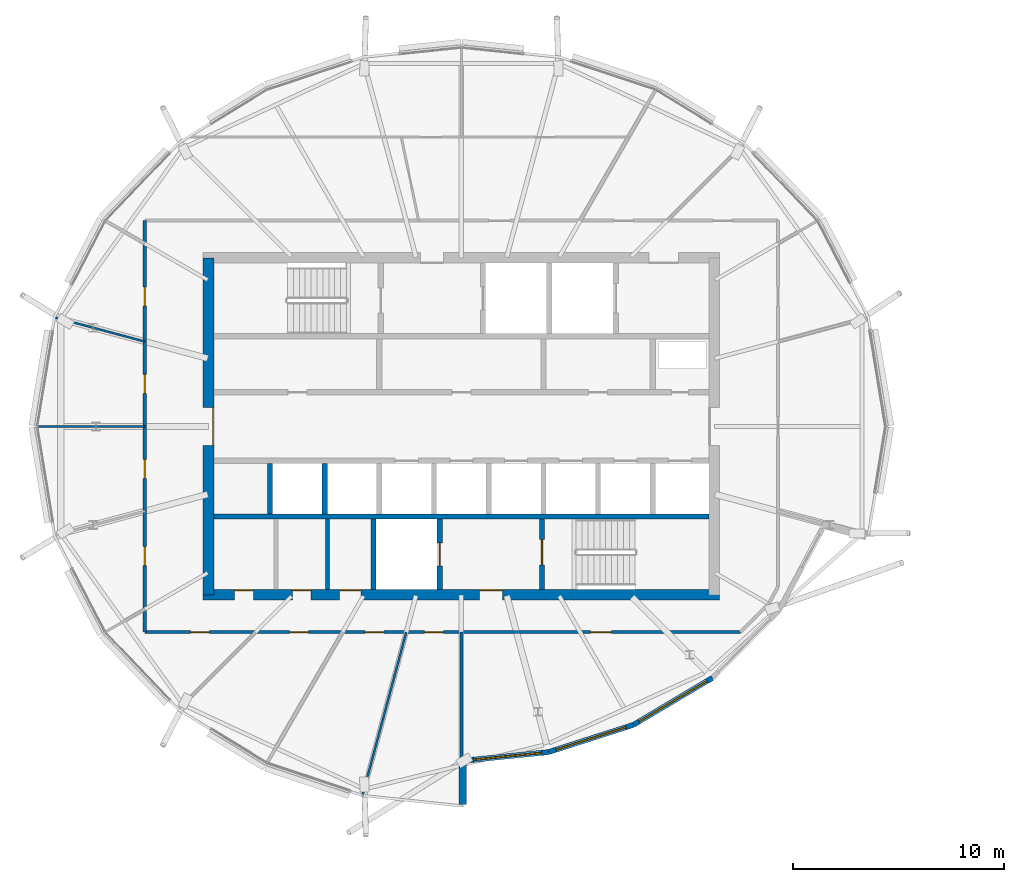
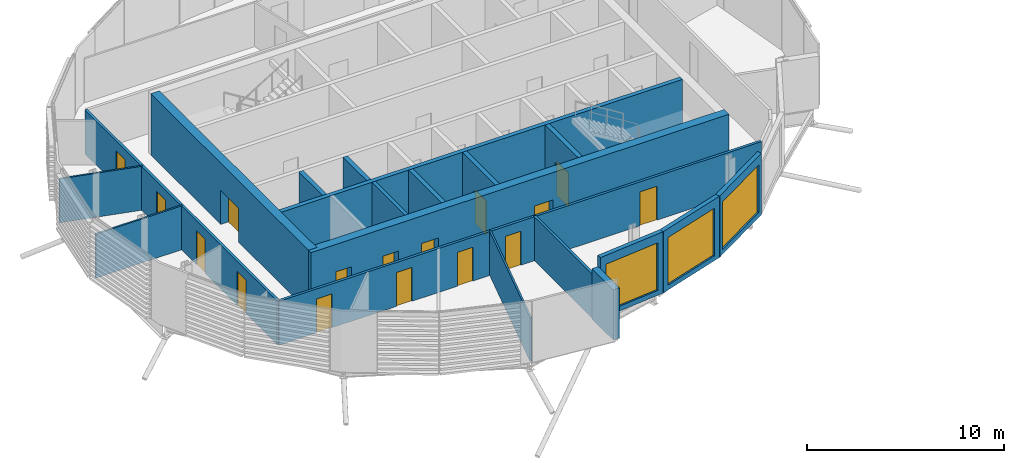
# One storey, part 18 of 36: 19 walls, 16 doors, 3 windows, 19 openings.
"""IFC4 building model written with IfcOpenShell, lengths in metres."""

from ifc_helpers import new_model, si_unit, direction, frame, frame_2d, origin, place, context, subcontext, project, spatial, rectangle, extrude, material, layer, layer_set, type_object, element, fill, save


model = new_model("IFC4")

# Units and contexts
model_context = context("Model", 3, precision=1e-05, world=origin(), true_north=direction((0.0, 1.0)))
body_context = subcontext(model_context, "Body", "Model", "MODEL_VIEW")
ifc_project = project(units=[si_unit("LENGTHUNIT", "METRE"), si_unit("AREAUNIT", "SQUARE_METRE"), si_unit("VOLUMEUNIT", "CUBIC_METRE"), si_unit("PLANEANGLEUNIT", "RADIAN"), si_unit("MASSUNIT", "GRAM", prefix="KILO")], contexts=[model_context])

# Site, building, storey
site_placement = place(None, origin())
site = spatial("IfcSite", under=ifc_project, at=site_placement, CompositionType="ELEMENT")
building_placement = place(site_placement, origin())
building = spatial("IfcBuilding", under=site, at=building_placement, Name="Rimbun Link Towers", CompositionType="ELEMENT")
storey_placement = place(building_placement, frame((0.0, 0.0, 248.5)))
storey = spatial("IfcBuildingStorey", under=building, at=storey_placement, Name="L61", CompositionType="ELEMENT", Elevation=248.5)

# Wall, opening, window
ifc_material_1 = material(Name="Dark enamelled glass spandrel on insulated aluminium backpan", Category="aluminium")
ifc_layer_1 = layer(ifc_material_1, 0.25)
ifc_layer_set_1 = layer_set([ifc_layer_1], Name="CS dark enamelled spandrel wall 250")
wall_type_1 = type_object("IfcWallType", Name="CS dark enamelled spandrel wall 250", PredefinedType="STANDARD", material=ifc_layer_set_1)
wall_1_placement = place(storey_placement, frame((-27.615234375, -15.45849609375, 0.0), z_axis=(0.0, 0.0, 1.0), x_axis=(-0.994869903882, -0.101162613404, 0.0)))
wall_1 = element("IfcWall", 1, at=wall_1_placement, inside=storey, type_object=wall_type_1, Name="Crease spandrel wall", PredefinedType="STANDARD", context=body_context, shape_type="SweptSolid", body=[
    extrude(rectangle(XDim=3.90478515625, YDim=0.25, at=frame_2d((1.952392578125, 0.0))), origin(), (0.0, 0.0, 1.0), 3.800048828125),
])
opening_1_placement = place(wall_1_placement, frame((0.327392578125, 0.0, 0.300048828125)))
opening_1 = element("IfcOpeningElement", 2, at=opening_1_placement, cuts=wall_1, Name="Opening WR32H295", PredefinedType="OPENING", context=body_context, shape_type="SweptSolid", body=[
    extrude(rectangle(XDim=3.25, YDim=2.949951171875, at=frame_2d((1.625, 1.47509765625))), frame((0.0, 0.135009765625, 0.0), z_axis=(0.0, -1.0, 0.0), x_axis=(1.0, 0.0, 0.0)), (0.0, 0.0, 1.0), 0.27001953125),
])
ifc_material_2 = material(Name="Aluminium framed fixed window, dark tinted low-e glass", Category="aluminium")
window_type_1 = type_object("IfcWindowType", Name="WR ribbon window 3250X2950", PartitioningType="SINGLE_PANEL", PredefinedType="WINDOW", material=ifc_material_2)
window_1_placement = place(opening_1_placement, origin())
window_1 = element("IfcWindow", 3, at=window_1_placement, inside=storey, type_object=window_type_1, Name="Crease ribbon window", OverallHeight=2.949951171875, OverallWidth=3.25, PartitioningType="SINGLE_PANEL", PredefinedType="WINDOW", context=body_context, shape_type="SweptSolid", body=[
    extrude(rectangle(XDim=3.25, YDim=2.949951171875, at=frame_2d((1.625, 1.47509765625))), frame((0.0, 0.030029296875, 0.0), z_axis=(0.0, -1.0, 0.0), x_axis=(1.0, 0.0, 0.0)), (0.0, 0.0, 1.0), 0.06005859375),
])
fill(opening_1, window_1)

wall_2_placement = place(storey_placement, frame((-23.5849609375, -14.167236328125, 0.0), z_axis=(0.0, 0.0, 1.0), x_axis=(-0.952316246709, -0.305112710737, 0.0)))
wall_2 = element("IfcWall", 4, at=wall_2_placement, inside=storey, type_object=wall_type_1, Name="Crease spandrel wall", PredefinedType="STANDARD", context=body_context, shape_type="SweptSolid", body=[
    extrude(rectangle(XDim=4.232177734375, YDim=0.25, at=frame_2d((2.1162109375, 0.0))), origin(), (0.0, 0.0, 1.0), 3.800048828125),
])
opening_2_placement = place(wall_2_placement, frame((0.365966796875, 0.0, 0.300048828125)))
opening_2 = element("IfcOpeningElement", 5, at=opening_2_placement, cuts=wall_2, Name="Opening WR35H295", PredefinedType="OPENING", context=body_context, shape_type="SweptSolid", body=[
    extrude(rectangle(XDim=3.5, YDim=2.949951171875, at=frame_2d((1.75, 1.47509765625))), frame((0.0, 0.135009765625, 0.0), z_axis=(0.0, -1.0, 0.0), x_axis=(1.0, 0.0, 0.0)), (0.0, 0.0, 1.0), 0.27001953125),
])
ifc_material_3 = material(Name="Aluminium framed fixed window, dark tinted low-e glass", Category="aluminium")
window_type_2 = type_object("IfcWindowType", Name="WR ribbon window 3500X2950", PartitioningType="SINGLE_PANEL", PredefinedType="WINDOW", material=ifc_material_3)
window_2_placement = place(opening_2_placement, origin())
window_2 = element("IfcWindow", 6, at=window_2_placement, inside=storey, type_object=window_type_2, Name="Crease ribbon window", OverallHeight=2.949951171875, OverallWidth=3.5, PartitioningType="SINGLE_PANEL", PredefinedType="WINDOW", context=body_context, shape_type="SweptSolid", body=[
    extrude(rectangle(XDim=3.5, YDim=2.949951171875, at=frame_2d((1.75, 1.47509765625))), frame((0.0, 0.030029296875, 0.0), z_axis=(0.0, -1.0, 0.0), x_axis=(1.0, 0.0, 0.0)), (0.0, 0.0, 1.0), 0.06005859375),
])
fill(opening_2, window_2)

wall_3_placement = place(storey_placement, frame((-19.8359375, -11.935546875, 0.0), z_axis=(0.0, 0.0, 1.0), x_axis=(-0.859280001548, -0.511505502354, 0.0)))
wall_3 = element("IfcWall", 7, at=wall_3_placement, inside=storey, type_object=wall_type_1, Name="Crease spandrel wall", PredefinedType="STANDARD", context=body_context, shape_type="SweptSolid", body=[
    extrude(rectangle(XDim=4.363037109375, YDim=0.25, at=frame_2d((2.181640625, 0.0))), origin(), (0.0, 0.0, 1.0), 3.800048828125),
])
opening_3_placement = place(wall_3_placement, frame((0.306640625, 0.0, 0.300048828125)))
opening_3 = element("IfcOpeningElement", 8, at=opening_3_placement, cuts=wall_3, Name="Opening WR38H295", PredefinedType="OPENING", context=body_context, shape_type="SweptSolid", body=[
    extrude(rectangle(XDim=3.75, YDim=2.949951171875, at=frame_2d((1.875, 1.47509765625))), frame((0.0, 0.135009765625, 0.0), z_axis=(0.0, -1.0, 0.0), x_axis=(1.0, 0.0, 0.0)), (0.0, 0.0, 1.0), 0.27001953125),
])
ifc_material_4 = material(Name="Aluminium framed fixed window, dark tinted low-e glass", Category="aluminium")
window_type_3 = type_object("IfcWindowType", Name="WR ribbon window 3750X2950", PartitioningType="SINGLE_PANEL", PredefinedType="WINDOW", material=ifc_material_4)
window_3_placement = place(opening_3_placement, origin())
window_3 = element("IfcWindow", 9, at=window_3_placement, inside=storey, type_object=window_type_3, Name="Crease ribbon window", OverallHeight=2.949951171875, OverallWidth=3.75, PartitioningType="SINGLE_PANEL", PredefinedType="WINDOW", context=body_context, shape_type="SweptSolid", body=[
    extrude(rectangle(XDim=3.75, YDim=2.949951171875, at=frame_2d((1.875, 1.47509765625))), frame((0.0, 0.030029296875, 0.0), z_axis=(0.0, -1.0, 0.0), x_axis=(1.0, 0.0, 0.0)), (0.0, 0.0, 1.0), 0.06005859375),
])
fill(opening_3, window_3)

# Walls
ifc_material_5 = material(Name="Dark enamelled glass spandrel on insulated aluminium backpan", Category="aluminium")
ifc_layer_2 = layer(ifc_material_5, 0.3701171875)
ifc_layer_set_2 = layer_set([ifc_layer_2], Name="CS dark enamelled spandrel wall 370")
wall_type_2 = type_object("IfcWallType", Name="CS dark enamelled spandrel wall 370", PredefinedType="STANDARD", material=ifc_layer_set_2)
wall_4_placement = place(storey_placement, frame((-31.68505859375, -15.75341796875, 0.0), z_axis=(0.0, 0.0, 1.0), x_axis=(0.0, -1.0, 0.0)))
element("IfcWall", 10, at=wall_4_placement, inside=storey, type_object=wall_type_2, Name="Crease spandrel wall", PredefinedType="STANDARD", context=body_context, shape_type="SweptSolid", body=[
    extrude(rectangle(XDim=2.179931640625, YDim=0.3701171875, at=frame_2d((1.08984375, 0.0))), origin(), (0.0, 0.0, 1.0), 3.116943359375),
])
ifc_material_6 = material(Name="Masonry blockwork", Category="masonry")
ifc_layer_3 = layer(ifc_material_6, 0.199951171875)
ifc_layer_set_3 = layer_set([ifc_layer_3], Name="Core partition 200")
wall_type_3 = type_object("IfcWallType", Name="Core partition 200", PredefinedType="PARTITIONING", material=ifc_layer_set_3)
wall_5_placement = place(storey_placement, frame((-38.10009765625, -4.39990234375, 0.0), z_axis=(0.0, 0.0, 1.0), x_axis=(0.0, -1.0, 0.0)))
element("IfcWall", 11, at=wall_5_placement, inside=storey, type_object=wall_type_3, Name="L61 T1 core wall C2", PredefinedType="PARTITIONING", context=body_context, shape_type="SweptSolid", body=[
    extrude(rectangle(XDim=3.35009765625, YDim=0.199951171875, at=frame_2d((1.675048828125, 0.0))), origin(), (0.0, 0.0, 1.0), 3.800048828125),
])

# Wall, openings, doors
ifc_material_7 = material(Name="Concrete C60/75", Category="concrete")
ifc_layer_4 = layer(ifc_material_7, 0.5)
ifc_layer_set_4 = layer_set([ifc_layer_4], Name="Core shear wall 500")
wall_type_4 = type_object("IfcWallType", Name="Core shear wall 500", PredefinedType="SHEAR", material=ifc_layer_set_4)
wall_6_placement = place(storey_placement, frame((-44.0, -8.0, 0.0), z_axis=(0.0, 0.0, 1.0), x_axis=(1.0, 0.0, 0.0)))
wall_6 = element("IfcWall", 12, at=wall_6_placement, inside=storey, type_object=wall_type_4, Name="L61 T1 core wall S", PredefinedType="SHEAR", context=body_context, shape_type="SweptSolid", body=[
    extrude(rectangle(XDim=24.5, YDim=0.5, at=frame_2d((12.25, 0.0))), origin(), (0.0, 0.0, 1.0), 3.800048828125),
])
opening_4_placement = place(wall_6_placement, frame((13.10009765625, 0.0, 0.0)))
opening_4 = element("IfcOpeningElement", 13, at=opening_4_placement, cuts=wall_6, Name="Opening C1DCF01S", PredefinedType="OPENING", context=body_context, shape_type="SweptSolid", body=[
    extrude(rectangle(XDim=1.10009765625, YDim=2.10009765625, at=frame_2d((0.550048828125, 1.050048828125))), frame((0.0, 0.260009765625, 0.0), z_axis=(0.0, -1.0, 0.0), x_axis=(1.0, 0.0, 0.0)), (0.0, 0.0, 1.0), 0.52001953125),
])
opening_5_placement = place(wall_6_placement, frame((1.47509765625, 0.0, 0.0)))
opening_5 = element("IfcOpeningElement", 14, at=opening_5_placement, cuts=wall_6, Name="Opening C1DWC02S", PredefinedType="OPENING", context=body_context, shape_type="SweptSolid", body=[
    extrude(rectangle(XDim=0.89990234375, YDim=2.10009765625, at=frame_2d((0.449951171875, 1.050048828125))), frame((0.0, 0.260009765625, 0.0), z_axis=(0.0, -1.0, 0.0), x_axis=(1.0, 0.0, 0.0)), (0.0, 0.0, 1.0), 0.52001953125),
])
opening_6_placement = place(wall_6_placement, frame((4.22509765625, 0.0, 0.0)))
opening_6 = element("IfcOpeningElement", 15, at=opening_6_placement, cuts=wall_6, Name="Opening C1DWC03S", PredefinedType="OPENING", context=body_context, shape_type="SweptSolid", body=[
    extrude(rectangle(XDim=0.89990234375, YDim=2.10009765625, at=frame_2d((0.449951171875, 1.050048828125))), frame((0.0, 0.260009765625, 0.0), z_axis=(0.0, -1.0, 0.0), x_axis=(1.0, 0.0, 0.0)), (0.0, 0.0, 1.0), 0.52001953125),
])
opening_7_placement = place(wall_6_placement, frame((6.47509765625, 0.0, 0.0)))
opening_7 = element("IfcOpeningElement", 16, at=opening_7_placement, cuts=wall_6, Name="Opening C1DAW04S", PredefinedType="OPENING", context=body_context, shape_type="SweptSolid", body=[
    extrude(rectangle(XDim=1.0, YDim=2.10009765625, at=frame_2d((0.5, 1.050048828125))), frame((0.0, 0.260009765625, 0.0), z_axis=(0.0, -1.0, 0.0), x_axis=(1.0, 0.0, 0.0)), (0.0, 0.0, 1.0), 0.52001953125),
])
ifc_material_8 = material(Name="Timber", Category="wood")
door_type_1 = type_object("IfcDoorType", Name="Accessible WC door", OperationType="SINGLE_SWING_LEFT", PredefinedType="DOOR", material=ifc_material_8)
door_1_placement = place(opening_7_placement, origin())
door_1 = element("IfcDoor", 17, at=door_1_placement, inside=storey, type_object=door_type_1, Name="L61 T1 accessible wc door", OperationType="SINGLE_SWING_LEFT", OverallHeight=2.10009765625, OverallWidth=1.0, PredefinedType="DOOR", context=body_context, shape_type="SweptSolid", body=[
    extrude(rectangle(XDim=1.0, YDim=2.10009765625, at=frame_2d((0.5, 1.050048828125))), frame((0.0, 0.25, 0.0), z_axis=(0.0, -1.0, 0.0), x_axis=(1.0, 0.0, 0.0)), (0.0, 0.0, 1.0), 0.050048828125),
])
fill(opening_7, door_1)
ifc_material_9 = material(Name="Steel fire door set", Category="steel")
door_type_2 = type_object("IfcDoorType", Name="Core fire door single", OperationType="SINGLE_SWING_LEFT", PredefinedType="DOOR", material=ifc_material_9)
door_2_placement = place(opening_4_placement, origin())
door_2 = element("IfcDoor", 18, at=door_2_placement, inside=storey, type_object=door_type_2, Name="L61 T1 firefighting lobby s door", OperationType="SINGLE_SWING_RIGHT", OverallHeight=2.10009765625, OverallWidth=1.10009765625, PredefinedType="DOOR", context=body_context, shape_type="SweptSolid", body=[
    extrude(rectangle(XDim=1.10009765625, YDim=2.10009765625, at=frame_2d((0.550048828125, 1.050048828125))), frame((0.0, 0.25, 0.0), z_axis=(0.0, -1.0, 0.0), x_axis=(1.0, 0.0, 0.0)), (0.0, 0.0, 1.0), 0.050048828125),
])
fill(opening_4, door_2)
ifc_material_10 = material(Name="Timber", Category="wood")
door_type_3 = type_object("IfcDoorType", Name="WC door", OperationType="SINGLE_SWING_LEFT", PredefinedType="DOOR", material=ifc_material_10)
door_3_placement = place(opening_5_placement, origin())
door_3 = element("IfcDoor", 19, at=door_3_placement, inside=storey, type_object=door_type_3, Name="L61 T1 male wc door", OperationType="SINGLE_SWING_RIGHT", OverallHeight=2.10009765625, OverallWidth=0.89990234375, PredefinedType="DOOR", context=body_context, shape_type="SweptSolid", body=[
    extrude(rectangle(XDim=0.89990234375, YDim=2.10009765625, at=frame_2d((0.449951171875, 1.050048828125))), frame((0.0, 0.25, 0.0), z_axis=(0.0, -1.0, 0.0), x_axis=(1.0, 0.0, 0.0)), (0.0, 0.0, 1.0), 0.050048828125),
])
fill(opening_5, door_3)
door_4_placement = place(opening_6_placement, origin())
door_4 = element("IfcDoor", 20, at=door_4_placement, inside=storey, type_object=door_type_3, Name="L61 T1 female wc door", OperationType="SINGLE_SWING_RIGHT", OverallHeight=2.10009765625, OverallWidth=0.89990234375, PredefinedType="DOOR", context=body_context, shape_type="SweptSolid", body=[
    extrude(rectangle(XDim=0.89990234375, YDim=2.10009765625, at=frame_2d((0.449951171875, 1.050048828125))), frame((0.0, 0.25, 0.0), z_axis=(0.0, -1.0, 0.0), x_axis=(1.0, 0.0, 0.0)), (0.0, 0.0, 1.0), 0.050048828125),
])
fill(opening_6, door_4)

# Wall, opening, door
wall_7_placement = place(storey_placement, frame((-43.75, -8.0, 0.0), z_axis=(0.0, 0.0, 1.0), x_axis=(0.0, 1.0, 0.0)))
wall_7 = element("IfcWall", 21, at=wall_7_placement, inside=storey, type_object=wall_type_4, Name="L61 T1 core wall W", PredefinedType="SHEAR", context=body_context, shape_type="SweptSolid", body=[
    extrude(rectangle(XDim=16.0, YDim=0.5, at=frame_2d((8.0, 0.0))), origin(), (0.0, 0.0, 1.0), 3.800048828125),
])
opening_8_placement = place(wall_7_placement, frame((7.10009765625, 0.0, 0.0)))
opening_8 = element("IfcOpeningElement", 22, at=opening_8_placement, cuts=wall_7, Name="Opening C1DCL01W", PredefinedType="OPENING", context=body_context, shape_type="SweptSolid", body=[
    extrude(rectangle(XDim=1.800048828125, YDim=2.10009765625, at=frame_2d((0.89990234375, 1.050048828125))), frame((0.0, 0.260009765625, 0.0), z_axis=(0.0, -1.0, 0.0), x_axis=(1.0, 0.0, 0.0)), (0.0, 0.0, 1.0), 0.52001953125),
])
ifc_material_11 = material(Name="Steel fire door set", Category="steel")
door_type_4 = type_object("IfcDoorType", Name="Core lobby door double", OperationType="DOUBLE_DOOR_SINGLE_SWING", PredefinedType="DOOR", material=ifc_material_11)
door_5_placement = place(opening_8_placement, origin())
door_5 = element("IfcDoor", 23, at=door_5_placement, inside=storey, type_object=door_type_4, Name="L61 T1 lift lobby door", OperationType="DOUBLE_DOOR_SINGLE_SWING", OverallHeight=2.10009765625, OverallWidth=1.800048828125, PredefinedType="DOOR", context=body_context, shape_type="SweptSolid", body=[
    extrude(rectangle(XDim=1.800048828125, YDim=2.10009765625, at=frame_2d((0.89990234375, 1.050048828125))), frame((0.0, -0.2001953125, 0.0), z_axis=(0.0, -1.0, 0.0), x_axis=(1.0, 0.0, 0.0)), (0.0, 0.0, 1.0), 0.050048828125),
])
fill(opening_8, door_5)

# Wall, openings, doors
ifc_material_12 = material(Name="Plasterboard on steel stud, mineral wool", Category="steel")
ifc_layer_5 = layer(ifc_material_12, 0.14990234375)
ifc_layer_set_5 = layer_set([ifc_layer_5], Name="Corridor wall EI 30 150 mm")
wall_type_5 = type_object("IfcWallType", Name="Corridor wall EI 30 150 mm", PredefinedType="PARTITIONING", material=ifc_layer_set_5)
wall_8_placement = place(storey_placement, frame((-46.77490234375, -9.764892578125, 0.0), z_axis=(0.0, 0.0, 1.0), x_axis=(0.0, 1.0, 0.0)))
wall_8 = element("IfcWall", 24, at=wall_8_placement, inside=storey, type_object=wall_type_5, Name="Corridor wall EI 30 150 mm", PredefinedType="PARTITIONING", context=body_context, shape_type="SweptSolid", body=[
    extrude(rectangle(XDim=19.52978515625, YDim=0.14990234375, at=frame_2d((9.764892578125, 0.0))), origin(), (0.0, 0.0, 1.0), 2.721923828125),
])
opening_9_placement = place(wall_8_placement, frame((15.468017578125, 0.0, 0.0)))
opening_9 = element("IfcOpeningElement", 25, at=opening_9_placement, cuts=wall_8, Name="Opening D02", PredefinedType="OPENING", context=body_context, shape_type="SweptSolid", body=[
    extrude(rectangle(XDim=0.89990234375, YDim=2.10009765625, at=frame_2d((0.449951171875, 1.050048828125))), frame((0.0, 0.0849609375, 0.0), z_axis=(0.0, -1.0, 0.0), x_axis=(1.0, 0.0, 0.0)), (0.0, 0.0, 1.0), 0.169921875),
])
opening_10_placement = place(wall_8_placement, frame((11.327880859375, 0.0, 0.0)))
opening_10 = element("IfcOpeningElement", 26, at=opening_10_placement, cuts=wall_8, Name="Opening D02", PredefinedType="OPENING", context=body_context, shape_type="SweptSolid", body=[
    extrude(rectangle(XDim=0.89990234375, YDim=2.10009765625, at=frame_2d((0.449951171875, 1.050048828125))), frame((0.0, 0.0849609375, 0.0), z_axis=(0.0, -1.0, 0.0), x_axis=(1.0, 0.0, 0.0)), (0.0, 0.0, 1.0), 0.169921875),
])
opening_11_placement = place(wall_8_placement, frame((7.302001953125, 0.0, 0.0)))
opening_11 = element("IfcOpeningElement", 27, at=opening_11_placement, cuts=wall_8, Name="Opening D02", PredefinedType="OPENING", context=body_context, shape_type="SweptSolid", body=[
    extrude(rectangle(XDim=0.89990234375, YDim=2.10009765625, at=frame_2d((0.449951171875, 1.050048828125))), frame((0.0, 0.0849609375, 0.0), z_axis=(0.0, -1.0, 0.0), x_axis=(1.0, 0.0, 0.0)), (0.0, 0.0, 1.0), 0.169921875),
])
opening_12_placement = place(wall_8_placement, frame((3.162109375, 0.0, 0.0)))
opening_12 = element("IfcOpeningElement", 28, at=opening_12_placement, cuts=wall_8, Name="Opening D02", PredefinedType="OPENING", context=body_context, shape_type="SweptSolid", body=[
    extrude(rectangle(XDim=0.89990234375, YDim=2.10009765625, at=frame_2d((0.449951171875, 1.050048828125))), frame((0.0, 0.0849609375, 0.0), z_axis=(0.0, -1.0, 0.0), x_axis=(1.0, 0.0, 0.0)), (0.0, 0.0, 1.0), 0.169921875),
])
ifc_material_13 = material(Name="Fire-resisting timber door leaf", Category="wood")
door_type_5 = type_object("IfcDoorType", Name="Fire door FD30S 900", OperationType="NOTDEFINED", PredefinedType="DOOR", material=ifc_material_13)
door_6_placement = place(opening_9_placement, origin())
door_6 = element("IfcDoor", 29, at=door_6_placement, inside=storey, type_object=door_type_5, Name="Fire door FD30S 900 to Meeting room", OperationType="SINGLE_SWING_RIGHT", OverallHeight=2.10009765625, OverallWidth=0.89990234375, PredefinedType="DOOR", context=body_context, shape_type="SweptSolid", body=[
    extrude(rectangle(XDim=0.89990234375, YDim=2.10009765625, at=frame_2d((0.449951171875, 1.050048828125))), frame((0.0, 0.02490234375, 0.0), z_axis=(0.0, -1.0, 0.0), x_axis=(1.0, 0.0, 0.0)), (0.0, 0.0, 1.0), 0.050048828125),
])
fill(opening_9, door_6)
door_7_placement = place(opening_10_placement, origin())
door_7 = element("IfcDoor", 30, at=door_7_placement, inside=storey, type_object=door_type_5, Name="Fire door FD30S 900 to Print room", OperationType="SINGLE_SWING_LEFT", OverallHeight=2.10009765625, OverallWidth=0.89990234375, PredefinedType="DOOR", context=body_context, shape_type="SweptSolid", body=[
    extrude(rectangle(XDim=0.89990234375, YDim=2.10009765625, at=frame_2d((0.449951171875, 1.050048828125))), frame((0.0, 0.02490234375, 0.0), z_axis=(0.0, -1.0, 0.0), x_axis=(1.0, 0.0, 0.0)), (0.0, 0.0, 1.0), 0.050048828125),
])
fill(opening_10, door_7)
door_8_placement = place(opening_11_placement, origin())
door_8 = element("IfcDoor", 31, at=door_8_placement, inside=storey, type_object=door_type_5, Name="Fire door FD30S 900 to Open office", OperationType="SINGLE_SWING_RIGHT", OverallHeight=2.10009765625, OverallWidth=0.89990234375, PredefinedType="DOOR", context=body_context, shape_type="SweptSolid", body=[
    extrude(rectangle(XDim=0.89990234375, YDim=2.10009765625, at=frame_2d((0.449951171875, 1.050048828125))), frame((0.0, 0.02490234375, 0.0), z_axis=(0.0, -1.0, 0.0), x_axis=(1.0, 0.0, 0.0)), (0.0, 0.0, 1.0), 0.050048828125),
])
fill(opening_11, door_8)
door_9_placement = place(opening_12_placement, origin())
door_9 = element("IfcDoor", 32, at=door_9_placement, inside=storey, type_object=door_type_5, Name="Fire door FD30S 900 to Meeting room", OperationType="SINGLE_SWING_LEFT", OverallHeight=2.10009765625, OverallWidth=0.89990234375, PredefinedType="DOOR", context=body_context, shape_type="SweptSolid", body=[
    extrude(rectangle(XDim=0.89990234375, YDim=2.10009765625, at=frame_2d((0.449951171875, 1.050048828125))), frame((0.0, 0.02490234375, 0.0), z_axis=(0.0, -1.0, 0.0), x_axis=(1.0, 0.0, 0.0)), (0.0, 0.0, 1.0), 0.050048828125),
])
fill(opening_12, door_9)

wall_9_placement = place(storey_placement, frame((-18.5029296875, -9.764892578125, 0.0), z_axis=(0.0, 0.0, 1.0), x_axis=(-1.0, 0.0, 0.0)))
wall_9 = element("IfcWall", 33, at=wall_9_placement, inside=storey, type_object=wall_type_5, Name="Corridor wall EI 30 150 mm", PredefinedType="PARTITIONING", context=body_context, shape_type="SweptSolid", body=[
    extrude(rectangle(XDim=28.27197265625, YDim=0.14990234375, at=frame_2d((14.135986328125, 0.0))), origin(), (0.0, 0.0, 1.0), 2.721923828125),
])
opening_13_placement = place(wall_9_placement, frame((25.19189453125, 0.0, 0.0)))
opening_13 = element("IfcOpeningElement", 34, at=opening_13_placement, cuts=wall_9, Name="Opening D02", PredefinedType="OPENING", context=body_context, shape_type="SweptSolid", body=[
    extrude(rectangle(XDim=0.89990234375, YDim=2.10009765625, at=frame_2d((0.449951171875, 1.050048828125))), frame((0.0, 0.0849609375, 0.0), z_axis=(0.0, -1.0, 0.0), x_axis=(1.0, 0.0, 0.0)), (0.0, 0.0, 1.0), 0.169921875),
])
opening_14_placement = place(wall_9_placement, frame((20.498291015625, 0.0, 0.0)))
opening_14 = element("IfcOpeningElement", 35, at=opening_14_placement, cuts=wall_9, Name="Opening D02", PredefinedType="OPENING", context=body_context, shape_type="SweptSolid", body=[
    extrude(rectangle(XDim=0.89990234375, YDim=2.10009765625, at=frame_2d((0.449951171875, 1.050048828125))), frame((0.0, 0.0849609375, 0.0), z_axis=(0.0, -1.0, 0.0), x_axis=(1.0, 0.0, 0.0)), (0.0, 0.0, 1.0), 0.169921875),
])
opening_15_placement = place(wall_9_placement, frame((16.92431640625, 0.0, 0.0)))
opening_15 = element("IfcOpeningElement", 36, at=opening_15_placement, cuts=wall_9, Name="Opening D02", PredefinedType="OPENING", context=body_context, shape_type="SweptSolid", body=[
    extrude(rectangle(XDim=0.89990234375, YDim=2.10009765625, at=frame_2d((0.449951171875, 1.050048828125))), frame((0.0, 0.0849609375, 0.0), z_axis=(0.0, -1.0, 0.0), x_axis=(1.0, 0.0, 0.0)), (0.0, 0.0, 1.0), 0.169921875),
])
opening_16_placement = place(wall_9_placement, frame((14.105224609375, 0.0, 0.0)))
opening_16 = element("IfcOpeningElement", 37, at=opening_16_placement, cuts=wall_9, Name="Opening D02", PredefinedType="OPENING", context=body_context, shape_type="SweptSolid", body=[
    extrude(rectangle(XDim=0.89990234375, YDim=2.10009765625, at=frame_2d((0.449951171875, 1.050048828125))), frame((0.0, 0.0849609375, 0.0), z_axis=(0.0, -1.0, 0.0), x_axis=(1.0, 0.0, 0.0)), (0.0, 0.0, 1.0), 0.169921875),
])
opening_17_placement = place(wall_9_placement, frame((6.12353515625, 0.0, 0.0)))
opening_17 = element("IfcOpeningElement", 38, at=opening_17_placement, cuts=wall_9, Name="Opening D01", PredefinedType="OPENING", context=body_context, shape_type="SweptSolid", body=[
    extrude(rectangle(XDim=1.0, YDim=2.10009765625, at=frame_2d((0.5, 1.050048828125))), frame((0.0, 0.0849609375, 0.0), z_axis=(0.0, -1.0, 0.0), x_axis=(1.0, 0.0, 0.0)), (0.0, 0.0, 1.0), 0.169921875),
])
ifc_material_14 = material(Name="Fire-resisting timber door leaf", Category="wood")
door_type_6 = type_object("IfcDoorType", Name="Fire door FD30S 1000", OperationType="NOTDEFINED", PredefinedType="DOOR", material=ifc_material_14)
door_10_placement = place(opening_17_placement, origin())
door_10 = element("IfcDoor", 39, at=door_10_placement, inside=storey, type_object=door_type_6, Name="Fire door FD30S 1000 to Terrace office", OperationType="SINGLE_SWING_RIGHT", OverallHeight=2.10009765625, OverallWidth=1.0, PredefinedType="DOOR", context=body_context, shape_type="SweptSolid", body=[
    extrude(rectangle(XDim=1.0, YDim=2.10009765625, at=frame_2d((0.5, 1.050048828125))), frame((0.0, 0.02490234375, 0.0), z_axis=(0.0, -1.0, 0.0), x_axis=(1.0, 0.0, 0.0)), (0.0, 0.0, 1.0), 0.050048828125),
])
fill(opening_17, door_10)
door_11_placement = place(opening_13_placement, origin())
door_11 = element("IfcDoor", 40, at=door_11_placement, inside=storey, type_object=door_type_5, Name="Fire door FD30S 900 to Print room", OperationType="SINGLE_SWING_RIGHT", OverallHeight=2.10009765625, OverallWidth=0.89990234375, PredefinedType="DOOR", context=body_context, shape_type="SweptSolid", body=[
    extrude(rectangle(XDim=0.89990234375, YDim=2.10009765625, at=frame_2d((0.449951171875, 1.050048828125))), frame((0.0, 0.02490234375, 0.0), z_axis=(0.0, -1.0, 0.0), x_axis=(1.0, 0.0, 0.0)), (0.0, 0.0, 1.0), 0.050048828125),
])
fill(opening_13, door_11)
door_12_placement = place(opening_14_placement, origin())
door_12 = element("IfcDoor", 41, at=door_12_placement, inside=storey, type_object=door_type_5, Name="Fire door FD30S 900 to Open office", OperationType="SINGLE_SWING_LEFT", OverallHeight=2.10009765625, OverallWidth=0.89990234375, PredefinedType="DOOR", context=body_context, shape_type="SweptSolid", body=[
    extrude(rectangle(XDim=0.89990234375, YDim=2.10009765625, at=frame_2d((0.449951171875, 1.050048828125))), frame((0.0, 0.02490234375, 0.0), z_axis=(0.0, -1.0, 0.0), x_axis=(1.0, 0.0, 0.0)), (0.0, 0.0, 1.0), 0.050048828125),
])
fill(opening_14, door_12)
door_13_placement = place(opening_15_placement, origin())
door_13 = element("IfcDoor", 42, at=door_13_placement, inside=storey, type_object=door_type_5, Name="Fire door FD30S 900 to Meeting room", OperationType="SINGLE_SWING_RIGHT", OverallHeight=2.10009765625, OverallWidth=0.89990234375, PredefinedType="DOOR", context=body_context, shape_type="SweptSolid", body=[
    extrude(rectangle(XDim=0.89990234375, YDim=2.10009765625, at=frame_2d((0.449951171875, 1.050048828125))), frame((0.0, 0.02490234375, 0.0), z_axis=(0.0, -1.0, 0.0), x_axis=(1.0, 0.0, 0.0)), (0.0, 0.0, 1.0), 0.050048828125),
])
fill(opening_15, door_13)
door_14_placement = place(opening_16_placement, origin())
door_14 = element("IfcDoor", 43, at=door_14_placement, inside=storey, type_object=door_type_5, Name="Fire door FD30S 900 to Meeting room", OperationType="SINGLE_SWING_LEFT", OverallHeight=2.10009765625, OverallWidth=0.89990234375, PredefinedType="DOOR", context=body_context, shape_type="SweptSolid", body=[
    extrude(rectangle(XDim=0.89990234375, YDim=2.10009765625, at=frame_2d((0.449951171875, 1.050048828125))), frame((0.0, 0.02490234375, 0.0), z_axis=(0.0, -1.0, 0.0), x_axis=(1.0, 0.0, 0.0)), (0.0, 0.0, 1.0), 0.050048828125),
])
fill(opening_16, door_14)

# Walls
ifc_material_15 = material(Name="Plasterboard on steel stud", Category="steel")
ifc_layer_6 = layer(ifc_material_15, 0.10009765625)
ifc_layer_set_6 = layer_set([ifc_layer_6], Name="Plasterboard partition 100 mm")
wall_type_6 = type_object("IfcWallType", Name="Plasterboard partition 100 mm", PredefinedType="PARTITIONING", material=ifc_layer_set_6)
wall_10_placement = place(storey_placement, frame((-51.009033203125, 5.160400390625, 0.0), z_axis=(0.0, 0.0, 1.0), x_axis=(0.965926422845, -0.258816818714, 0.0)))
element("IfcWall", 44, at=wall_10_placement, inside=storey, type_object=wall_type_6, Name="Plasterboard partition 100 mm", PredefinedType="PARTITIONING", context=body_context, shape_type="SweptSolid", body=[
    extrude(rectangle(XDim=4.383544921875, YDim=0.10009765625, at=frame_2d((2.19189453125, 0.0))), origin(), (0.0, 0.0, 1.0), 2.721923828125),
])
wall_11_placement = place(storey_placement, frame((-51.857666015625, 0.0, 0.0), z_axis=(0.0, 0.0, 1.0), x_axis=(1.0, 0.0, 0.0)))
element("IfcWall", 45, at=wall_11_placement, inside=storey, type_object=wall_type_6, Name="Plasterboard partition 100 mm", PredefinedType="PARTITIONING", context=body_context, shape_type="SweptSolid", body=[
    extrude(rectangle(XDim=5.082763671875, YDim=0.10009765625, at=frame_2d((2.54150390625, 0.0))), origin(), (0.0, 0.0, 1.0), 2.721923828125),
])
wall_12_placement = place(storey_placement, frame((-36.428466796875, -17.460693359375, 0.0), z_axis=(0.0, 0.0, 1.0), x_axis=(0.258810626858, 0.965928081912, 0.0)))
element("IfcWall", 46, at=wall_12_placement, inside=storey, type_object=wall_type_6, Name="Plasterboard partition 100 mm", PredefinedType="PARTITIONING", context=body_context, shape_type="SweptSolid", body=[
    extrude(rectangle(XDim=7.96728515625, YDim=0.10009765625, at=frame_2d((3.983642578125, 0.0))), origin(), (0.0, 0.0, 1.0), 2.721923828125),
])
ifc_material_16 = material(Name="Concrete C60/75", Category="concrete")
ifc_layer_7 = layer(ifc_material_16, 0.25)
ifc_layer_set_7 = layer_set([ifc_layer_7], Name="Shaft wall 250")
wall_type_7 = type_object("IfcWallType", Name="Shaft wall 250", PredefinedType="SHEAR", material=ifc_layer_set_7)
wall_13_placement = place(storey_placement, frame((-43.5, -4.27490234375, 0.0), z_axis=(0.0, 0.0, 1.0), x_axis=(1.0, 0.0, 0.0)))
element("IfcWall", 47, at=wall_13_placement, inside=storey, type_object=wall_type_7, Name="L61 T1 core wall BS", PredefinedType="SHEAR", context=body_context, shape_type="SweptSolid", body=[
    extrude(rectangle(XDim=23.5, YDim=0.25, at=frame_2d((11.75, 0.0))), origin(), (0.0, 0.0, 1.0), 3.800048828125),
])
for number, where, z_axis, x_axis, name in (
    (48, (-40.83056640625, -4.14990234375, 0.0), (0.0, 0.0, 1.0), (0.0, 1.0, 0.0), "L61 T1 core wall DS0"),
    (49, (-38.236083984375, -4.14990234375, 0.0), (0.0, 0.0, 1.0), (0.0, 1.0, 0.0), "L61 T1 core wall DS1"),
):
    element("IfcWall", number, at=place(storey_placement, frame(where, z_axis=z_axis, x_axis=x_axis)), inside=storey, type_object=wall_type_7, Name=name, PredefinedType="SHEAR", context=body_context, shape_type="SweptSolid", body=[
        extrude(rectangle(XDim=2.39990234375, YDim=0.25, at=frame_2d((1.199951171875, 0.0))), origin(), (0.0, 0.0, 1.0), 3.800048828125),
    ])

# Wall, opening, door
wall_14_placement = place(storey_placement, frame((-27.925048828125, -4.39990234375, 0.0), z_axis=(0.0, 0.0, 1.0), x_axis=(0.0, -1.0, 0.0)))
wall_14 = element("IfcWall", 50, at=wall_14_placement, inside=storey, type_object=wall_type_7, Name="L61 T1 core wall B1", PredefinedType="SHEAR", context=body_context, shape_type="SweptSolid", body=[
    extrude(rectangle(XDim=3.35009765625, YDim=0.25, at=frame_2d((1.675048828125, 0.0))), origin(), (0.0, 0.0, 1.0), 3.800048828125),
])
opening_18_placement = place(wall_14_placement, frame((0.97509765625, 0.0, 0.0)))
opening_18 = element("IfcOpeningElement", 51, at=opening_18_placement, cuts=wall_14, Name="Opening C1DST01B1", PredefinedType="OPENING", context=body_context, shape_type="SweptSolid", body=[
    extrude(rectangle(XDim=1.199951171875, YDim=2.10009765625, at=frame_2d((0.60009765625, 1.050048828125))), frame((0.0, 0.135009765625, 0.0), z_axis=(0.0, -1.0, 0.0), x_axis=(1.0, 0.0, 0.0)), (0.0, 0.0, 1.0), 0.27001953125),
])
ifc_material_17 = material(Name="Steel fire door set", Category="steel")
door_type_7 = type_object("IfcDoorType", Name="Stair door", OperationType="SINGLE_SWING_LEFT", PredefinedType="DOOR", material=ifc_material_17)
door_15_placement = place(opening_18_placement, origin())
door_15 = element("IfcDoor", 52, at=door_15_placement, inside=storey, type_object=door_type_7, Name="L61 T1 stair b door", OperationType="SINGLE_SWING_RIGHT", OverallHeight=2.10009765625, OverallWidth=1.199951171875, PredefinedType="DOOR", context=body_context, shape_type="SweptSolid", body=[
    extrude(rectangle(XDim=1.199951171875, YDim=2.10009765625, at=frame_2d((0.60009765625, 1.050048828125))), frame((0.0, 0.02490234375, 0.0), z_axis=(0.0, -1.0, 0.0), x_axis=(1.0, 0.0, 0.0)), (0.0, 0.0, 1.0), 0.050048828125),
])
fill(opening_18, door_15)

wall_15_placement = place(storey_placement, frame((-32.77490234375, -4.39990234375, 0.0), z_axis=(0.0, 0.0, 1.0), x_axis=(0.0, -1.0, 0.0)))
wall_15 = element("IfcWall", 53, at=wall_15_placement, inside=storey, type_object=wall_type_7, Name="L61 T1 core wall B2", PredefinedType="SHEAR", context=body_context, shape_type="SweptSolid", body=[
    extrude(rectangle(XDim=3.35009765625, YDim=0.25, at=frame_2d((1.675048828125, 0.0))), origin(), (0.0, 0.0, 1.0), 3.800048828125),
])
opening_19_placement = place(wall_15_placement, frame((1.125, 0.0, 0.0)))
opening_19 = element("IfcOpeningElement", 54, at=opening_19_placement, cuts=wall_15, Name="Opening LD-T1-FF2", PredefinedType="OPENING", context=body_context, shape_type="SweptSolid", body=[
    extrude(rectangle(XDim=1.10009765625, YDim=2.10009765625, at=frame_2d((0.550048828125, 1.050048828125))), frame((0.0, 0.135009765625, 0.0), z_axis=(0.0, -1.0, 0.0), x_axis=(1.0, 0.0, 0.0)), (0.0, 0.0, 1.0), 0.27001953125),
])
ifc_material_18 = material(Name="Stainless steel grade 316", Category="steel")
door_type_8 = type_object("IfcDoorType", Name="Lift landing door", OperationType="DOUBLE_DOOR_SLIDING", PredefinedType="DOOR", material=ifc_material_18)
door_16_placement = place(opening_19_placement, origin())
door_16 = element("IfcDoor", 55, at=door_16_placement, inside=storey, type_object=door_type_8, Name="L61 T1 lift FF2 landing door", OperationType="DOUBLE_DOOR_SLIDING", OverallHeight=2.10009765625, OverallWidth=1.10009765625, PredefinedType="DOOR", context=body_context, shape_type="SweptSolid", body=[
    extrude(rectangle(XDim=1.10009765625, YDim=2.10009765625, at=frame_2d((0.550048828125, 1.050048828125))), frame((0.0, 0.02490234375, 0.0), z_axis=(0.0, -1.0, 0.0), x_axis=(1.0, 0.0, 0.0)), (0.0, 0.0, 1.0), 0.050048828125),
])
fill(opening_19, door_16)

# Walls
wall_16_placement = place(storey_placement, frame((-35.925048828125, -4.39990234375, 0.0), z_axis=(0.0, 0.0, 1.0), x_axis=(0.0, -1.0, 0.0)))
element("IfcWall", 56, at=wall_16_placement, inside=storey, type_object=wall_type_7, Name="L61 T1 core wall B3", PredefinedType="SHEAR", context=body_context, shape_type="SweptSolid", body=[
    extrude(rectangle(XDim=3.35009765625, YDim=0.25, at=frame_2d((1.675048828125, 0.0))), origin(), (0.0, 0.0, 1.0), 3.800048828125),
])
ifc_material_19 = material(Name="Plasterboard on steel stud, mineral wool", Category="steel")
ifc_layer_8 = layer(ifc_material_19, 0.14990234375)
ifc_layer_set_8 = layer_set([ifc_layer_8], Name="Tenancy separation wall EI 60 150 mm")
wall_type_8 = type_object("IfcWallType", Name="Tenancy separation wall EI 60 150 mm", PredefinedType="PARTITIONING", material=ifc_layer_set_8)
wall_17_placement = place(storey_placement, frame((-31.75, -9.764892578125, 0.0), z_axis=(0.0, 0.0, 1.0), x_axis=(0.0, -1.0, 0.0)))
element("IfcWall", 57, at=wall_17_placement, inside=storey, type_object=wall_type_8, Name="Tenancy separation wall EI 60 150 mm", PredefinedType="PARTITIONING", context=body_context, shape_type="SweptSolid", body=[
    extrude(rectangle(XDim=5.988525390625, YDim=0.14990234375, at=frame_2d((2.994140625, 0.0))), origin(), (0.0, 0.0, 1.0), 2.721923828125),
])

save(model, "model.ifc")
